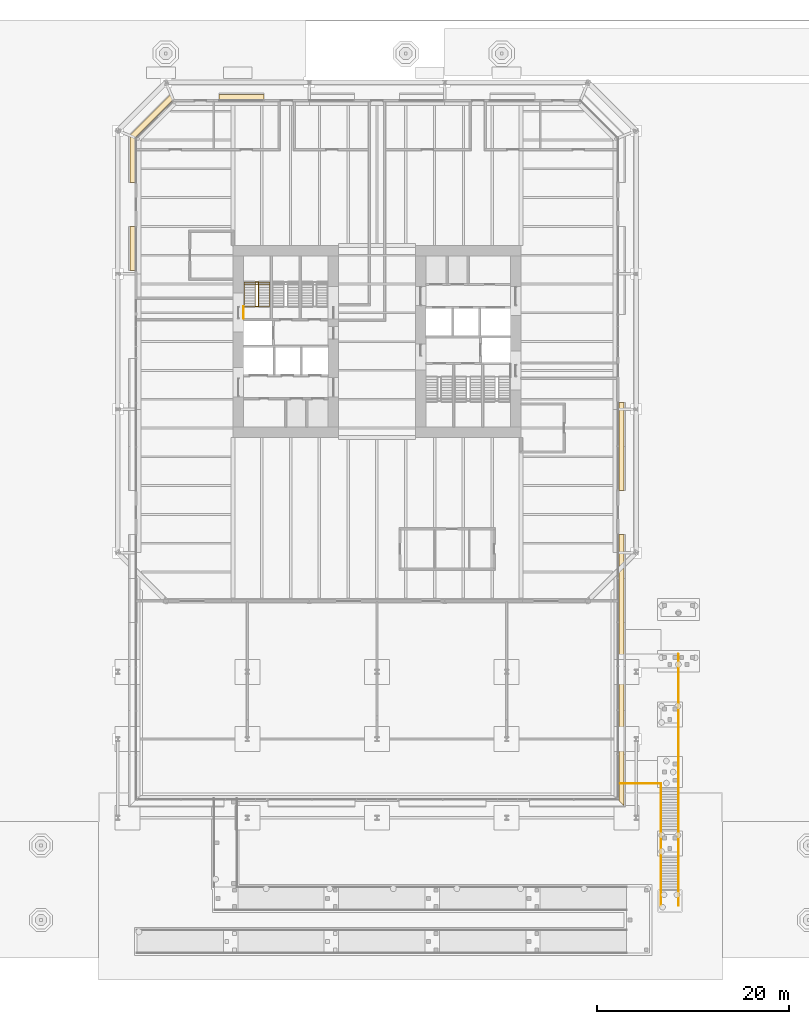
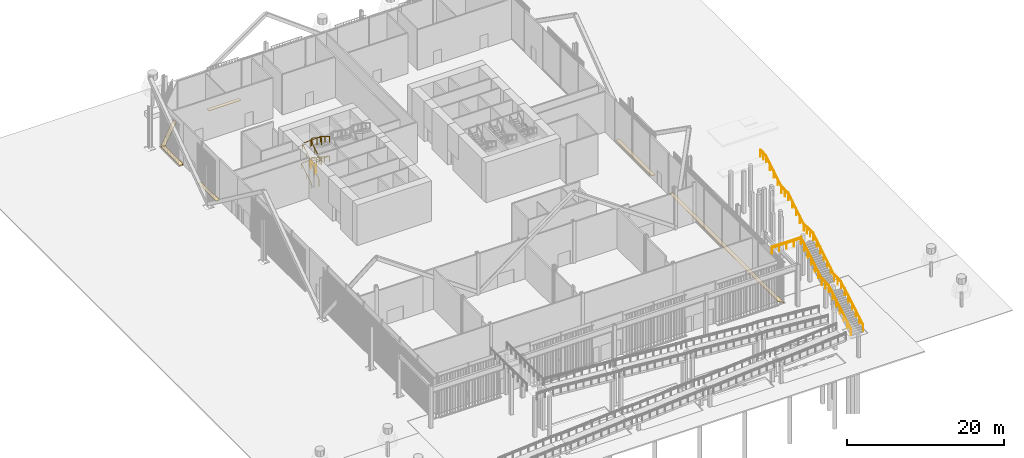
# One storey, part 24 of 28: 7 railings, 6 coverings.
"""IFC4 building model written with IfcOpenShell, lengths in metres."""

from ifc_helpers import new_model, si_unit, direction, frame, origin, origin_2d, place, context, subcontext, project, spatial, polyline, circle, outline, extrude, material, layer, layer_set, type_object, element, save


model = new_model("IFC4")

# Units and contexts
model_context = context("Model", 3, precision=1e-05, world=origin(), true_north=direction((0.0, 1.0)))
body_context = subcontext(model_context, "Body", "Model", "MODEL_VIEW")
ifc_project = project(units=[si_unit("LENGTHUNIT", "METRE"), si_unit("AREAUNIT", "SQUARE_METRE"), si_unit("VOLUMEUNIT", "CUBIC_METRE"), si_unit("PLANEANGLEUNIT", "RADIAN"), si_unit("MASSUNIT", "GRAM", prefix="KILO")], contexts=[model_context])

# Site, building, storey
site_placement = place(None, origin())
site = spatial("IfcSite", under=ifc_project, at=site_placement, CompositionType="ELEMENT")
building_placement = place(site_placement, origin())
building = spatial("IfcBuilding", under=site, at=building_placement, Name="Millrace Tower", CompositionType="ELEMENT")
storey_placement = place(building_placement, origin())
storey = spatial("IfcBuildingStorey", under=building, at=storey_placement, Name="L01", CompositionType="ELEMENT", Elevation=0.0)

# Coverings
ifc_material_1 = material(Name="Steel ASTM A36", Category="steel")
ifc_layer = layer(ifc_material_1, 0.050048828125)
ifc_layer_set = layer_set([ifc_layer], Name="Steel ASTM A36")
covering_type = type_object("IfcCoveringType", Name="CAVITY CATWALK steel grating", PredefinedType="FLOORING", material=ifc_layer_set)
placement_1 = place(storey_placement, frame((0.0, 0.0, 0.10009765625)))
element("IfcCovering", 1, at=placement_1, inside=storey, type_object=covering_type, Name="Cavity catwalk grating AW1-F02 L01 1", PredefinedType="FLOORING", context=body_context, shape_type="SweptSolid", body=[
    extrude(outline(polyline([(25.75, -48.35009765625), (25.75, -20.10009765625), (25.199951171875, -20.10009765625), (25.199951171875, -47.800048828125), (25.75, -48.35009765625)])), origin(), (0.0, 0.0, 1.0), 0.0498046875),
])
element("IfcCovering", 2, at=placement_1, inside=storey, type_object=covering_type, Name="Cavity catwalk grating AW1-F02 L01 2", PredefinedType="FLOORING", context=body_context, shape_type="SweptSolid", body=[
    extrude(outline(polyline([(25.75, -15.5166015625), (25.75, -6.35009765625), (25.199951171875, -6.35009765625), (25.199951171875, -15.5166015625), (25.75, -15.5166015625)])), origin(), (0.0, 0.0, 1.0), 0.0498046875),
])
element("IfcCovering", 3, at=placement_1, inside=storey, type_object=covering_type, Name="Cavity catwalk grating AW1-F04 L01 4", PredefinedType="FLOORING", context=body_context, shape_type="SweptSolid", body=[
    extrude(outline(polyline([(-11.75, 25.75), (-16.449951171875, 25.75), (-16.449951171875, 25.199951171875), (-11.75, 25.199951171875), (-11.75, 25.75)])), origin(), (0.0, 0.0, 1.0), 0.0498046875),
])
element("IfcCovering", 4, at=placement_1, inside=storey, type_object=covering_type, Name="Cavity catwalk grating AW1-F05 L01 1", PredefinedType="FLOORING", context=body_context, shape_type="SweptSolid", body=[
    extrude(outline(polyline([(-21.460693359375, 25.75), (-25.75, 21.460693359375), (-25.199951171875, 21.23291015625), (-21.23291015625, 25.199951171875), (-21.460693359375, 25.75)])), origin(), (0.0, 0.0, 1.0), 0.0498046875),
])
element("IfcCovering", 5, at=placement_1, inside=storey, type_object=covering_type, Name="Cavity catwalk grating AW1-F06 L01 1", PredefinedType="FLOORING", context=body_context, shape_type="SweptSolid", body=[
    extrude(outline(polyline([(-25.75, 21.460693359375), (-25.75, 16.566650390625), (-25.199951171875, 16.566650390625), (-25.199951171875, 21.23291015625), (-25.75, 21.460693359375)])), origin(), (0.0, 0.0, 1.0), 0.0498046875),
])
element("IfcCovering", 6, at=placement_1, inside=storey, type_object=covering_type, Name="Cavity catwalk grating AW1-F06 L01 2", PredefinedType="FLOORING", context=body_context, shape_type="SweptSolid", body=[
    extrude(outline(polyline([(-25.75, 11.9833984375), (-25.75, 7.39990234375), (-25.199951171875, 7.39990234375), (-25.199951171875, 11.9833984375), (-25.75, 11.9833984375)])), origin(), (0.0, 0.0, 1.0), 0.0498046875),
])

# Railings
ifc_material_2 = material(Name="Stainless steel ASTM A240 type 316", Category="steel")
railing_type_1 = type_object("IfcRailingType", Name="Public stair guard 1100", PredefinedType="GUARDRAIL", material=ifc_material_2)
placement_2 = place(storey_placement, frame((31.39990234375, -58.760009765625, 0.0)))
element("IfcRailing", 7, at=placement_2, inside=storey, type_object=railing_type_1, Name="Public stair guard GD-STAIR-E", PredefinedType="GUARDRAIL", context=body_context, shape_type="SweptSolid", body=[
    extrude(circle(Radius=0.02392578125, at=origin_2d()), frame((0.0, 0.0, 1.076171875), z_axis=(0.0, 0.859565695434, 0.511025258899), x_axis=(-1.0, 0.0, 0.0)), (0.0, 0.0, 1.0), 6.51513671875),
    extrude(circle(Radius=0.02392578125, at=origin_2d()), frame((0.0, 5.60009765625, 4.4052734375), z_axis=(0.0, 1.0, 0.0), x_axis=(-1.0, 0.0, 0.0)), (0.0, 0.0, 1.0), 1.7998046875),
    extrude(circle(Radius=0.02392578125, at=origin_2d()), frame((0.0, 7.39990234375, 4.4052734375), z_axis=(0.0, 0.859012653675, 0.511954354241), x_axis=(-1.0, 0.0, 0.0)), (0.0, 0.0, 1.0), 6.193115234375),
    extrude(circle(Radius=0.02392578125, at=origin_2d()), frame((0.0, 12.719970703125, 7.576171875), z_axis=(0.0, 1.0, 0.0), x_axis=(-1.0, 0.0, 0.0)), (0.0, 0.0, 1.0), 2.400146484375),
    extrude(circle(Radius=0.02392578125, at=origin_2d()), frame((0.0, 15.1201171875, 7.576171875), z_axis=(0.0, 0.852856131449, 0.522145974847), x_axis=(-1.0, 0.0, 0.0)), (0.0, 0.0, 1.0), 4.59619140625),
    extrude(circle(Radius=0.02392578125, at=origin_2d()), frame((0.0, 19.0400390625, 9.97607421875), z_axis=(0.0, 1.0, 0.0), x_axis=(-1.0, 0.0, 0.0)), (0.0, 0.0, 1.0), 1.800048828125),
    extrude(circle(Radius=0.02392578125, at=origin_2d()), frame((0.0, 20.840087890625, 9.97607421875), z_axis=(0.0, 0.852832477147, 0.522184609045), x_axis=(-1.0, 0.0, 0.0)), (0.0, 0.0, 1.0), 4.596435546875),
    extrude(circle(Radius=0.02392578125, at=origin_2d()), frame((0.0, 24.760009765625, 12.3759765625), z_axis=(0.0, 1.0, 0.0), x_axis=(-1.0, 0.0, 0.0)), (0.0, 0.0, 1.0), 1.43994140625),
    extrude(circle(Radius=0.02099609375, at=origin_2d()), origin(), (0.0, 0.0, 1.0), 1.052001953125),
    extrude(circle(Radius=0.02099609375, at=origin_2d()), frame((0.0, 0.933349609375, 0.554931640625)), (0.0, 0.0, 1.0), 1.052001953125),
    extrude(circle(Radius=0.02099609375, at=origin_2d()), frame((0.0, 1.86669921875, 1.10986328125)), (0.0, 0.0, 1.0), 1.052001953125),
    extrude(circle(Radius=0.02099609375, at=origin_2d()), frame((0.0, 2.800048828125, 1.66455078125)), (0.0, 0.0, 1.0), 1.052001953125),
    extrude(circle(Radius=0.02099609375, at=origin_2d()), frame((0.0, 3.7333984375, 2.219482421875)), (0.0, 0.0, 1.0), 1.052001953125),
    extrude(circle(Radius=0.02099609375, at=origin_2d()), frame((0.0, 4.666748046875, 2.7744140625)), (0.0, 0.0, 1.0), 1.052001953125),
    extrude(circle(Radius=0.02099609375, at=origin_2d()), frame((0.0, 5.60009765625, 3.329345703125)), (0.0, 0.0, 1.0), 1.052001953125),
    extrude(circle(Radius=0.02099609375, at=origin_2d()), frame((0.0, 6.5, 3.329345703125)), (0.0, 0.0, 1.0), 1.052001953125),
    extrude(circle(Radius=0.02099609375, at=origin_2d()), frame((0.0, 7.39990234375, 3.329345703125)), (0.0, 0.0, 1.0), 1.052001953125),
    extrude(circle(Radius=0.02099609375, at=origin_2d()), frame((0.0, 8.28662109375, 3.85791015625)), (0.0, 0.0, 1.0), 1.052001953125),
    extrude(circle(Radius=0.02099609375, at=origin_2d()), frame((0.0, 9.17333984375, 4.38623046875)), (0.0, 0.0, 1.0), 1.052001953125),
    extrude(circle(Radius=0.02099609375, at=origin_2d()), frame((0.0, 10.06005859375, 4.91455078125)), (0.0, 0.0, 1.0), 1.052001953125),
    extrude(circle(Radius=0.02099609375, at=origin_2d()), frame((0.0, 10.946533203125, 5.443115234375)), (0.0, 0.0, 1.0), 1.052001953125),
    extrude(circle(Radius=0.02099609375, at=origin_2d()), frame((0.0, 11.833251953125, 5.9716796875)), (0.0, 0.0, 1.0), 1.052001953125),
    extrude(circle(Radius=0.02099609375, at=origin_2d()), frame((0.0, 12.719970703125, 6.5)), (0.0, 0.0, 1.0), 1.052001953125),
    extrude(circle(Radius=0.02099609375, at=origin_2d()), frame((0.0, 13.52001953125, 6.5)), (0.0, 0.0, 1.0), 1.052001953125),
    extrude(circle(Radius=0.02099609375, at=origin_2d()), frame((0.0, 14.320068359375, 6.5)), (0.0, 0.0, 1.0), 1.052001953125),
    extrude(circle(Radius=0.02099609375, at=origin_2d()), frame((0.0, 15.1201171875, 6.5)), (0.0, 0.0, 1.0), 1.052001953125),
    extrude(circle(Radius=0.02099609375, at=origin_2d()), frame((0.0, 16.10009765625, 7.10009765625)), (0.0, 0.0, 1.0), 1.052001953125),
    extrude(circle(Radius=0.02099609375, at=origin_2d()), frame((0.0, 17.080078125, 7.699951171875)), (0.0, 0.0, 1.0), 1.052001953125),
    extrude(circle(Radius=0.02099609375, at=origin_2d()), frame((0.0, 18.06005859375, 8.2998046875)), (0.0, 0.0, 1.0), 1.052001953125),
    extrude(circle(Radius=0.02099609375, at=origin_2d()), frame((0.0, 19.0400390625, 8.89990234375)), (0.0, 0.0, 1.0), 1.052001953125),
    extrude(circle(Radius=0.02099609375, at=origin_2d()), frame((0.0, 19.93994140625, 8.89990234375)), (0.0, 0.0, 1.0), 1.052001953125),
    extrude(circle(Radius=0.02099609375, at=origin_2d()), frame((0.0, 20.840087890625, 8.89990234375)), (0.0, 0.0, 1.0), 1.052001953125),
    extrude(circle(Radius=0.02099609375, at=origin_2d()), frame((0.0, 21.820068359375, 9.5)), (0.0, 0.0, 1.0), 1.052001953125),
    extrude(circle(Radius=0.02099609375, at=origin_2d()), frame((0.0, 22.800048828125, 10.10009765625)), (0.0, 0.0, 1.0), 1.052001953125),
    extrude(circle(Radius=0.02099609375, at=origin_2d()), frame((0.0, 23.780029296875, 10.699951171875)), (0.0, 0.0, 1.0), 1.052001953125),
    extrude(circle(Radius=0.02099609375, at=origin_2d()), frame((0.0, 24.760009765625, 11.300048828125)), (0.0, 0.0, 1.0), 1.052001953125),
    extrude(circle(Radius=0.02099609375, at=origin_2d()), frame((0.0, 25.47998046875, 11.300048828125)), (0.0, 0.0, 1.0), 1.052001953125),
    extrude(circle(Radius=0.02099609375, at=origin_2d()), frame((0.0, 26.199951171875, 11.300048828125)), (0.0, 0.0, 1.0), 1.052001953125),
])
placement_3 = place(storey_placement, frame((29.60009765625, -58.760009765625, 0.0)))
element("IfcRailing", 8, at=placement_3, inside=storey, type_object=railing_type_1, Name="Public stair guard GD-STAIR-WA", PredefinedType="GUARDRAIL", context=body_context, shape_type="SweptSolid", body=[
    extrude(circle(Radius=0.02392578125, at=origin_2d()), frame((0.0, 0.0, 1.076171875), z_axis=(0.0, 0.859565695434, 0.511025258899), x_axis=(-1.0, 0.0, 0.0)), (0.0, 0.0, 1.0), 6.51513671875),
    extrude(circle(Radius=0.02392578125, at=origin_2d()), frame((0.0, 5.60009765625, 4.4052734375), z_axis=(0.0, 1.0, 0.0), x_axis=(-1.0, 0.0, 0.0)), (0.0, 0.0, 1.0), 1.7998046875),
    extrude(circle(Radius=0.02392578125, at=origin_2d()), frame((0.0, 7.39990234375, 4.4052734375), z_axis=(0.0, 0.859012653675, 0.511954354241), x_axis=(-1.0, 0.0, 0.0)), (0.0, 0.0, 1.0), 6.193115234375),
    extrude(circle(Radius=0.02392578125, at=origin_2d()), frame((0.0, 12.719970703125, 7.576171875), z_axis=(-1.0, 0.0, 0.0), x_axis=(0.0, -1.0, 0.0)), (0.0, 0.0, 1.0), 4.300048828125),
    extrude(circle(Radius=0.02099609375, at=origin_2d()), origin(), (0.0, 0.0, 1.0), 1.052001953125),
    extrude(circle(Radius=0.02099609375, at=origin_2d()), frame((0.0, 0.933349609375, 0.554931640625)), (0.0, 0.0, 1.0), 1.052001953125),
    extrude(circle(Radius=0.02099609375, at=origin_2d()), frame((0.0, 1.86669921875, 1.10986328125)), (0.0, 0.0, 1.0), 1.052001953125),
    extrude(circle(Radius=0.02099609375, at=origin_2d()), frame((0.0, 2.800048828125, 1.66455078125)), (0.0, 0.0, 1.0), 1.052001953125),
    extrude(circle(Radius=0.02099609375, at=origin_2d()), frame((0.0, 3.7333984375, 2.219482421875)), (0.0, 0.0, 1.0), 1.052001953125),
    extrude(circle(Radius=0.02099609375, at=origin_2d()), frame((0.0, 4.666748046875, 2.7744140625)), (0.0, 0.0, 1.0), 1.052001953125),
    extrude(circle(Radius=0.02099609375, at=origin_2d()), frame((0.0, 5.60009765625, 3.329345703125)), (0.0, 0.0, 1.0), 1.052001953125),
    extrude(circle(Radius=0.02099609375, at=origin_2d()), frame((0.0, 6.5, 3.329345703125)), (0.0, 0.0, 1.0), 1.052001953125),
    extrude(circle(Radius=0.02099609375, at=origin_2d()), frame((0.0, 7.39990234375, 3.329345703125)), (0.0, 0.0, 1.0), 1.052001953125),
    extrude(circle(Radius=0.02099609375, at=origin_2d()), frame((0.0, 8.28662109375, 3.85791015625)), (0.0, 0.0, 1.0), 1.052001953125),
    extrude(circle(Radius=0.02099609375, at=origin_2d()), frame((0.0, 9.17333984375, 4.38623046875)), (0.0, 0.0, 1.0), 1.052001953125),
    extrude(circle(Radius=0.02099609375, at=origin_2d()), frame((0.0, 10.06005859375, 4.91455078125)), (0.0, 0.0, 1.0), 1.052001953125),
    extrude(circle(Radius=0.02099609375, at=origin_2d()), frame((0.0, 10.946533203125, 5.443115234375)), (0.0, 0.0, 1.0), 1.052001953125),
    extrude(circle(Radius=0.02099609375, at=origin_2d()), frame((0.0, 11.833251953125, 5.9716796875)), (0.0, 0.0, 1.0), 1.052001953125),
    extrude(circle(Radius=0.02099609375, at=origin_2d()), frame((0.0, 12.719970703125, 6.5)), (0.0, 0.0, 1.0), 1.052001953125),
    extrude(circle(Radius=0.02099609375, at=origin_2d()), frame((-1.074951171875, 12.719970703125, 6.5)), (0.0, 0.0, 1.0), 1.052001953125),
    extrude(circle(Radius=0.02099609375, at=origin_2d()), frame((-2.14990234375, 12.719970703125, 6.5)), (0.0, 0.0, 1.0), 1.052001953125),
    extrude(circle(Radius=0.02099609375, at=origin_2d()), frame((-3.22509765625, 12.719970703125, 6.5)), (0.0, 0.0, 1.0), 1.052001953125),
    extrude(circle(Radius=0.02099609375, at=origin_2d()), frame((-4.300048828125, 12.719970703125, 6.5)), (0.0, 0.0, 1.0), 1.052001953125),
])
ifc_material_3 = material(Name="Stainless steel ASTM A240 type 316", Category="steel")
railing_type_2 = type_object("IfcRailingType", Name="Public stair handrail 900", PredefinedType="HANDRAIL", material=ifc_material_3)
element("IfcRailing", 9, at=placement_2, inside=storey, type_object=railing_type_2, Name="Public stair handrail HR-STAIR-E", PredefinedType="HANDRAIL", context=body_context, shape_type="SweptSolid", body=[
    extrude(circle(Radius=0.02392578125, at=origin_2d()), frame((0.0, 0.0, 0.8759765625), z_axis=(0.0, 0.859565695434, 0.511025258899), x_axis=(-1.0, 0.0, 0.0)), (0.0, 0.0, 1.0), 6.51513671875),
    extrude(circle(Radius=0.02392578125, at=origin_2d()), frame((0.0, 5.60009765625, 4.205078125), z_axis=(0.0, 1.0, 0.0), x_axis=(-1.0, 0.0, 0.0)), (0.0, 0.0, 1.0), 1.7998046875),
    extrude(circle(Radius=0.02392578125, at=origin_2d()), frame((0.0, 7.39990234375, 4.205078125), z_axis=(0.0, 0.859012653675, 0.511954354241), x_axis=(-1.0, 0.0, 0.0)), (0.0, 0.0, 1.0), 6.193115234375),
    extrude(circle(Radius=0.02392578125, at=origin_2d()), frame((0.0, 12.719970703125, 7.3759765625), z_axis=(0.0, 1.0, 0.0), x_axis=(-1.0, 0.0, 0.0)), (0.0, 0.0, 1.0), 2.400146484375),
    extrude(circle(Radius=0.02392578125, at=origin_2d()), frame((0.0, 15.1201171875, 7.3759765625), z_axis=(0.0, 0.852856131449, 0.522145974847), x_axis=(-1.0, 0.0, 0.0)), (0.0, 0.0, 1.0), 4.59619140625),
    extrude(circle(Radius=0.02392578125, at=origin_2d()), frame((0.0, 19.0400390625, 9.77587890625), z_axis=(0.0, 1.0, 0.0), x_axis=(-1.0, 0.0, 0.0)), (0.0, 0.0, 1.0), 1.800048828125),
    extrude(circle(Radius=0.02392578125, at=origin_2d()), frame((0.0, 20.840087890625, 9.77587890625), z_axis=(0.0, 0.852832477147, 0.522184609045), x_axis=(-1.0, 0.0, 0.0)), (0.0, 0.0, 1.0), 4.596435546875),
    extrude(circle(Radius=0.02392578125, at=origin_2d()), frame((0.0, 24.760009765625, 12.17578125), z_axis=(0.0, 1.0, 0.0), x_axis=(-1.0, 0.0, 0.0)), (0.0, 0.0, 1.0), 1.43994140625),
    extrude(circle(Radius=0.02099609375, at=origin_2d()), origin(), (0.0, 0.0, 1.0), 0.851806640625),
    extrude(circle(Radius=0.02099609375, at=origin_2d()), frame((0.0, 0.933349609375, 0.554931640625)), (0.0, 0.0, 1.0), 0.851806640625),
    extrude(circle(Radius=0.02099609375, at=origin_2d()), frame((0.0, 1.86669921875, 1.10986328125)), (0.0, 0.0, 1.0), 0.851806640625),
    extrude(circle(Radius=0.02099609375, at=origin_2d()), frame((0.0, 2.800048828125, 1.66455078125)), (0.0, 0.0, 1.0), 0.851806640625),
    extrude(circle(Radius=0.02099609375, at=origin_2d()), frame((0.0, 3.7333984375, 2.219482421875)), (0.0, 0.0, 1.0), 0.851806640625),
    extrude(circle(Radius=0.02099609375, at=origin_2d()), frame((0.0, 4.666748046875, 2.7744140625)), (0.0, 0.0, 1.0), 0.851806640625),
    extrude(circle(Radius=0.02099609375, at=origin_2d()), frame((0.0, 5.60009765625, 3.329345703125)), (0.0, 0.0, 1.0), 0.851806640625),
    extrude(circle(Radius=0.02099609375, at=origin_2d()), frame((0.0, 6.5, 3.329345703125)), (0.0, 0.0, 1.0), 0.851806640625),
    extrude(circle(Radius=0.02099609375, at=origin_2d()), frame((0.0, 7.39990234375, 3.329345703125)), (0.0, 0.0, 1.0), 0.851806640625),
    extrude(circle(Radius=0.02099609375, at=origin_2d()), frame((0.0, 8.28662109375, 3.85791015625)), (0.0, 0.0, 1.0), 0.851806640625),
    extrude(circle(Radius=0.02099609375, at=origin_2d()), frame((0.0, 9.17333984375, 4.38623046875)), (0.0, 0.0, 1.0), 0.851806640625),
    extrude(circle(Radius=0.02099609375, at=origin_2d()), frame((0.0, 10.06005859375, 4.91455078125)), (0.0, 0.0, 1.0), 0.851806640625),
    extrude(circle(Radius=0.02099609375, at=origin_2d()), frame((0.0, 10.946533203125, 5.443115234375)), (0.0, 0.0, 1.0), 0.851806640625),
    extrude(circle(Radius=0.02099609375, at=origin_2d()), frame((0.0, 11.833251953125, 5.9716796875)), (0.0, 0.0, 1.0), 0.851806640625),
    extrude(circle(Radius=0.02099609375, at=origin_2d()), frame((0.0, 12.719970703125, 6.5)), (0.0, 0.0, 1.0), 0.851806640625),
    extrude(circle(Radius=0.02099609375, at=origin_2d()), frame((0.0, 13.52001953125, 6.5)), (0.0, 0.0, 1.0), 0.851806640625),
    extrude(circle(Radius=0.02099609375, at=origin_2d()), frame((0.0, 14.320068359375, 6.5)), (0.0, 0.0, 1.0), 0.851806640625),
    extrude(circle(Radius=0.02099609375, at=origin_2d()), frame((0.0, 15.1201171875, 6.5)), (0.0, 0.0, 1.0), 0.851806640625),
    extrude(circle(Radius=0.02099609375, at=origin_2d()), frame((0.0, 16.10009765625, 7.10009765625)), (0.0, 0.0, 1.0), 0.851806640625),
    extrude(circle(Radius=0.02099609375, at=origin_2d()), frame((0.0, 17.080078125, 7.699951171875)), (0.0, 0.0, 1.0), 0.851806640625),
    extrude(circle(Radius=0.02099609375, at=origin_2d()), frame((0.0, 18.06005859375, 8.2998046875)), (0.0, 0.0, 1.0), 0.851806640625),
    extrude(circle(Radius=0.02099609375, at=origin_2d()), frame((0.0, 19.0400390625, 8.89990234375)), (0.0, 0.0, 1.0), 0.851806640625),
    extrude(circle(Radius=0.02099609375, at=origin_2d()), frame((0.0, 19.93994140625, 8.89990234375)), (0.0, 0.0, 1.0), 0.851806640625),
    extrude(circle(Radius=0.02099609375, at=origin_2d()), frame((0.0, 20.840087890625, 8.89990234375)), (0.0, 0.0, 1.0), 0.851806640625),
    extrude(circle(Radius=0.02099609375, at=origin_2d()), frame((0.0, 21.820068359375, 9.5)), (0.0, 0.0, 1.0), 0.851806640625),
    extrude(circle(Radius=0.02099609375, at=origin_2d()), frame((0.0, 22.800048828125, 10.10009765625)), (0.0, 0.0, 1.0), 0.851806640625),
    extrude(circle(Radius=0.02099609375, at=origin_2d()), frame((0.0, 23.780029296875, 10.699951171875)), (0.0, 0.0, 1.0), 0.851806640625),
    extrude(circle(Radius=0.02099609375, at=origin_2d()), frame((0.0, 24.760009765625, 11.300048828125)), (0.0, 0.0, 1.0), 0.851806640625),
    extrude(circle(Radius=0.02099609375, at=origin_2d()), frame((0.0, 25.47998046875, 11.300048828125)), (0.0, 0.0, 1.0), 0.851806640625),
    extrude(circle(Radius=0.02099609375, at=origin_2d()), frame((0.0, 26.199951171875, 11.300048828125)), (0.0, 0.0, 1.0), 0.851806640625),
])
element("IfcRailing", 10, at=placement_3, inside=storey, type_object=railing_type_2, Name="Public stair handrail HR-STAIR-WA", PredefinedType="HANDRAIL", context=body_context, shape_type="SweptSolid", body=[
    extrude(circle(Radius=0.02392578125, at=origin_2d()), frame((0.0, 0.0, 0.8759765625), z_axis=(0.0, 0.859565695434, 0.511025258899), x_axis=(-1.0, 0.0, 0.0)), (0.0, 0.0, 1.0), 6.51513671875),
    extrude(circle(Radius=0.02392578125, at=origin_2d()), frame((0.0, 5.60009765625, 4.205078125), z_axis=(0.0, 1.0, 0.0), x_axis=(-1.0, 0.0, 0.0)), (0.0, 0.0, 1.0), 1.7998046875),
    extrude(circle(Radius=0.02392578125, at=origin_2d()), frame((0.0, 7.39990234375, 4.205078125), z_axis=(0.0, 0.859012653675, 0.511954354241), x_axis=(-1.0, 0.0, 0.0)), (0.0, 0.0, 1.0), 6.193115234375),
    extrude(circle(Radius=0.02392578125, at=origin_2d()), frame((0.0, 12.719970703125, 7.3759765625), z_axis=(-1.0, 0.0, 0.0), x_axis=(0.0, -1.0, 0.0)), (0.0, 0.0, 1.0), 4.300048828125),
    extrude(circle(Radius=0.02099609375, at=origin_2d()), origin(), (0.0, 0.0, 1.0), 0.851806640625),
    extrude(circle(Radius=0.02099609375, at=origin_2d()), frame((0.0, 0.933349609375, 0.554931640625)), (0.0, 0.0, 1.0), 0.851806640625),
    extrude(circle(Radius=0.02099609375, at=origin_2d()), frame((0.0, 1.86669921875, 1.10986328125)), (0.0, 0.0, 1.0), 0.851806640625),
    extrude(circle(Radius=0.02099609375, at=origin_2d()), frame((0.0, 2.800048828125, 1.66455078125)), (0.0, 0.0, 1.0), 0.851806640625),
    extrude(circle(Radius=0.02099609375, at=origin_2d()), frame((0.0, 3.7333984375, 2.219482421875)), (0.0, 0.0, 1.0), 0.851806640625),
    extrude(circle(Radius=0.02099609375, at=origin_2d()), frame((0.0, 4.666748046875, 2.7744140625)), (0.0, 0.0, 1.0), 0.851806640625),
    extrude(circle(Radius=0.02099609375, at=origin_2d()), frame((0.0, 5.60009765625, 3.329345703125)), (0.0, 0.0, 1.0), 0.851806640625),
    extrude(circle(Radius=0.02099609375, at=origin_2d()), frame((0.0, 6.5, 3.329345703125)), (0.0, 0.0, 1.0), 0.851806640625),
    extrude(circle(Radius=0.02099609375, at=origin_2d()), frame((0.0, 7.39990234375, 3.329345703125)), (0.0, 0.0, 1.0), 0.851806640625),
    extrude(circle(Radius=0.02099609375, at=origin_2d()), frame((0.0, 8.28662109375, 3.85791015625)), (0.0, 0.0, 1.0), 0.851806640625),
    extrude(circle(Radius=0.02099609375, at=origin_2d()), frame((0.0, 9.17333984375, 4.38623046875)), (0.0, 0.0, 1.0), 0.851806640625),
    extrude(circle(Radius=0.02099609375, at=origin_2d()), frame((0.0, 10.06005859375, 4.91455078125)), (0.0, 0.0, 1.0), 0.851806640625),
    extrude(circle(Radius=0.02099609375, at=origin_2d()), frame((0.0, 10.946533203125, 5.443115234375)), (0.0, 0.0, 1.0), 0.851806640625),
    extrude(circle(Radius=0.02099609375, at=origin_2d()), frame((0.0, 11.833251953125, 5.9716796875)), (0.0, 0.0, 1.0), 0.851806640625),
    extrude(circle(Radius=0.02099609375, at=origin_2d()), frame((0.0, 12.719970703125, 6.5)), (0.0, 0.0, 1.0), 0.851806640625),
    extrude(circle(Radius=0.02099609375, at=origin_2d()), frame((-1.074951171875, 12.719970703125, 6.5)), (0.0, 0.0, 1.0), 0.851806640625),
    extrude(circle(Radius=0.02099609375, at=origin_2d()), frame((-2.14990234375, 12.719970703125, 6.5)), (0.0, 0.0, 1.0), 0.851806640625),
    extrude(circle(Radius=0.02099609375, at=origin_2d()), frame((-3.22509765625, 12.719970703125, 6.5)), (0.0, 0.0, 1.0), 0.851806640625),
    extrude(circle(Radius=0.02099609375, at=origin_2d()), frame((-4.300048828125, 12.719970703125, 6.5)), (0.0, 0.0, 1.0), 0.851806640625),
])
ifc_material_4 = material(Name="Stainless steel ASTM A240 type 316", Category="steel")
railing_type_3 = type_object("IfcRailingType", Name="Stair guard 1100", PredefinedType="GUARDRAIL", material=ifc_material_4)
railing_5_placement = place(storey_placement, frame((-12.679931640625, 3.679931640625, 0.171142578125)))
element("IfcRailing", 11, at=railing_5_placement, inside=storey, type_object=railing_type_3, Name="Stair guard 1 W L01", PredefinedType="GUARDRAIL", context=body_context, shape_type="SweptSolid", body=[
    extrude(circle(Radius=0.02392578125, at=origin_2d()), frame((0.0, 0.0, 1.076171875), z_axis=(0.0, 0.853388087904, 0.521276099034), x_axis=(-1.0, 0.0, 0.0)), (0.0, 0.0, 1.0), 2.952880859375),
    extrude(circle(Radius=0.02392578125, at=origin_2d()), frame((0.0, 2.52001953125, 2.615234375), z_axis=(0.903075576361, 0.0, 0.42948166827), x_axis=(0.0, 1.0, 0.0)), (0.0, 0.0, 1.0), 0.3984375),
    extrude(circle(Radius=0.02392578125, at=origin_2d()), frame((0.35986328125, 2.52001953125, 2.78662109375), z_axis=(0.0, -0.853351308602, 0.521336306147), x_axis=(1.0, 0.0, 0.0)), (0.0, 0.0, 1.0), 2.953125),
    extrude(circle(Radius=0.02392578125, at=origin_2d()), frame((0.35986328125, 0.0, 4.326171875), z_axis=(-0.903313127325, 0.0, 0.428981810806), x_axis=(0.0, -1.0, 0.0)), (0.0, 0.0, 1.0), 0.3984375),
    extrude(circle(Radius=0.02392578125, at=origin_2d()), frame((0.0, 0.0, 4.4970703125), z_axis=(0.0, 0.853362292397, 0.521318326854), x_axis=(-1.0, 0.0, 0.0)), (0.0, 0.0, 1.0), 2.625),
    extrude(circle(Radius=0.02392578125, at=origin_2d()), frame((0.0, 2.239990234375, 5.865234375), z_axis=(0.903075576361, 0.0, 0.42948166827), x_axis=(0.0, 1.0, 0.0)), (0.0, 0.0, 1.0), 0.3984375),
    extrude(circle(Radius=0.02392578125, at=origin_2d()), frame((0.35986328125, 2.239990234375, 6.03662109375), z_axis=(0.0, -0.853362292397, 0.521318326854), x_axis=(1.0, 0.0, 0.0)), (0.0, 0.0, 1.0), 2.625),
    extrude(circle(Radius=0.02099609375, at=origin_2d()), origin(), (0.0, 0.0, 1.0), 1.052001953125),
    extrude(circle(Radius=0.02099609375, at=origin_2d()), frame((0.0, 1.260009765625, 0.76953125)), (0.0, 0.0, 1.0), 1.052001953125),
    extrude(circle(Radius=0.02099609375, at=origin_2d()), frame((0.0, 2.52001953125, 1.539306640625)), (0.0, 0.0, 1.0), 1.052001953125),
    extrude(circle(Radius=0.02099609375, at=origin_2d()), frame((0.35986328125, 2.52001953125, 1.71044921875)), (0.0, 0.0, 1.0), 1.052001953125),
    extrude(circle(Radius=0.02099609375, at=origin_2d()), frame((0.35986328125, 1.260009765625, 2.480224609375)), (0.0, 0.0, 1.0), 1.052001953125),
    extrude(circle(Radius=0.02099609375, at=origin_2d()), frame((0.35986328125, 0.0, 3.25)), (0.0, 0.0, 1.0), 1.052001953125),
    extrude(circle(Radius=0.02099609375, at=origin_2d()), frame((0.0, 0.0, 3.4208984375)), (0.0, 0.0, 1.0), 1.052001953125),
    extrude(circle(Radius=0.02099609375, at=origin_2d()), frame((0.0, 1.1201171875, 4.10498046875)), (0.0, 0.0, 1.0), 1.052001953125),
    extrude(circle(Radius=0.02099609375, at=origin_2d()), frame((0.0, 2.239990234375, 4.789306640625)), (0.0, 0.0, 1.0), 1.052001953125),
    extrude(circle(Radius=0.02099609375, at=origin_2d()), frame((0.35986328125, 2.239990234375, 4.96044921875)), (0.0, 0.0, 1.0), 1.052001953125),
    extrude(circle(Radius=0.02099609375, at=origin_2d()), frame((0.35986328125, 1.1201171875, 5.64453125)), (0.0, 0.0, 1.0), 1.052001953125),
    extrude(circle(Radius=0.02099609375, at=origin_2d()), frame((0.35986328125, 0.0, 6.328857421875)), (0.0, 0.0, 1.0), 1.052001953125),
])
railing_6_placement = place(storey_placement, frame((-13.89990234375, 2.3798828125, 3.421142578125)))
element("IfcRailing", 12, at=railing_6_placement, inside=storey, type_object=railing_type_3, Name="Stair door landing guard W L01", PredefinedType="GUARDRAIL", context=body_context, shape_type="SweptSolid", body=[
    extrude(circle(Radius=0.02392578125, at=origin_2d()), frame((0.0, 0.0, 1.076171875), z_axis=(0.0, 1.0, 0.0), x_axis=(-1.0, 0.0, 0.0)), (0.0, 0.0, 1.0), 1.300048828125),
    extrude(circle(Radius=0.02099609375, at=origin_2d()), origin(), (0.0, 0.0, 1.0), 1.052001953125),
    extrude(circle(Radius=0.02099609375, at=origin_2d()), frame((0.0, 1.300048828125, 0.0)), (0.0, 0.0, 1.0), 1.052001953125),
])
ifc_material_5 = material(Name="Stainless steel ASTM A240 type 316", Category="steel")
railing_type_4 = type_object("IfcRailingType", Name="Stair handrail 900", PredefinedType="HANDRAIL", material=ifc_material_5)
railing_7_placement = place(storey_placement, frame((-13.840087890625, 3.679931640625, 0.171142578125)))
element("IfcRailing", 13, at=railing_7_placement, inside=storey, type_object=railing_type_4, Name="Stair handrail 1 W L01", PredefinedType="HANDRAIL", context=body_context, shape_type="SweptSolid", body=[
    extrude(circle(Radius=0.02392578125, at=origin_2d()), frame((0.0, 0.0, 0.8759765625), z_axis=(0.0, 0.853388087904, 0.521276099034), x_axis=(-1.0, 0.0, 0.0)), (0.0, 0.0, 1.0), 2.952880859375),
    extrude(circle(Radius=0.02392578125, at=origin_2d()), frame((0.0, 2.52001953125, 2.4150390625), z_axis=(0.99796748411, 0.0, 0.063725196426), x_axis=(0.0, 1.0, 0.0)), (0.0, 0.0, 1.0), 2.685546875),
    extrude(circle(Radius=0.02392578125, at=origin_2d()), frame((2.68017578125, 2.52001953125, 2.58642578125), z_axis=(0.0, -0.853351308602, 0.521336306147), x_axis=(1.0, 0.0, 0.0)), (0.0, 0.0, 1.0), 2.953125),
    extrude(circle(Radius=0.02392578125, at=origin_2d()), frame((2.68017578125, 0.0, 4.1259765625), z_axis=(-0.997973261273, 0.0, 0.063634658671), x_axis=(0.0, -1.0, 0.0)), (0.0, 0.0, 1.0), 2.685546875),
    extrude(circle(Radius=0.02392578125, at=origin_2d()), frame((0.0, 0.0, 4.296875), z_axis=(0.0, 0.853362292397, 0.521318326854), x_axis=(-1.0, 0.0, 0.0)), (0.0, 0.0, 1.0), 2.625),
    extrude(circle(Radius=0.02392578125, at=origin_2d()), frame((0.0, 2.239990234375, 5.6650390625), z_axis=(0.99796748411, 0.0, 0.063725196426), x_axis=(0.0, 1.0, 0.0)), (0.0, 0.0, 1.0), 2.685546875),
    extrude(circle(Radius=0.02392578125, at=origin_2d()), frame((2.68017578125, 2.239990234375, 5.83642578125), z_axis=(0.0, -0.853362292397, 0.521318326854), x_axis=(1.0, 0.0, 0.0)), (0.0, 0.0, 1.0), 2.625),
    extrude(circle(Radius=0.02099609375, at=origin_2d()), origin(), (0.0, 0.0, 1.0), 0.851806640625),
    extrude(circle(Radius=0.02099609375, at=origin_2d()), frame((0.0, 1.260009765625, 0.76953125)), (0.0, 0.0, 1.0), 0.851806640625),
    extrude(circle(Radius=0.02099609375, at=origin_2d()), frame((0.0, 2.52001953125, 1.539306640625)), (0.0, 0.0, 1.0), 0.851806640625),
    extrude(circle(Radius=0.02099609375, at=origin_2d()), frame((1.340087890625, 2.52001953125, 1.625)), (0.0, 0.0, 1.0), 0.851806640625),
    extrude(circle(Radius=0.02099609375, at=origin_2d()), frame((2.68017578125, 2.52001953125, 1.71044921875)), (0.0, 0.0, 1.0), 0.851806640625),
    extrude(circle(Radius=0.02099609375, at=origin_2d()), frame((2.68017578125, 1.260009765625, 2.480224609375)), (0.0, 0.0, 1.0), 0.851806640625),
    extrude(circle(Radius=0.02099609375, at=origin_2d()), frame((2.68017578125, 0.0, 3.25)), (0.0, 0.0, 1.0), 0.851806640625),
    extrude(circle(Radius=0.02099609375, at=origin_2d()), frame((1.340087890625, 0.0, 3.33544921875)), (0.0, 0.0, 1.0), 0.851806640625),
    extrude(circle(Radius=0.02099609375, at=origin_2d()), frame((0.0, 0.0, 3.4208984375)), (0.0, 0.0, 1.0), 0.851806640625),
    extrude(circle(Radius=0.02099609375, at=origin_2d()), frame((0.0, 1.1201171875, 4.10498046875)), (0.0, 0.0, 1.0), 0.851806640625),
    extrude(circle(Radius=0.02099609375, at=origin_2d()), frame((0.0, 2.239990234375, 4.789306640625)), (0.0, 0.0, 1.0), 0.851806640625),
    extrude(circle(Radius=0.02099609375, at=origin_2d()), frame((1.340087890625, 2.239990234375, 4.875)), (0.0, 0.0, 1.0), 0.851806640625),
    extrude(circle(Radius=0.02099609375, at=origin_2d()), frame((2.68017578125, 2.239990234375, 4.96044921875)), (0.0, 0.0, 1.0), 0.851806640625),
    extrude(circle(Radius=0.02099609375, at=origin_2d()), frame((2.68017578125, 1.1201171875, 5.64453125)), (0.0, 0.0, 1.0), 0.851806640625),
    extrude(circle(Radius=0.02099609375, at=origin_2d()), frame((2.68017578125, 0.0, 6.328857421875)), (0.0, 0.0, 1.0), 0.851806640625),
])

save(model, "model.ifc")
